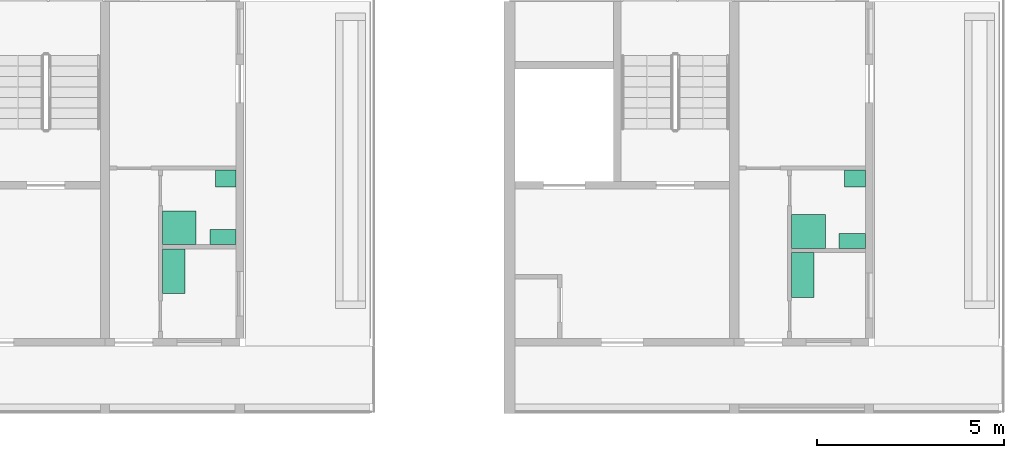
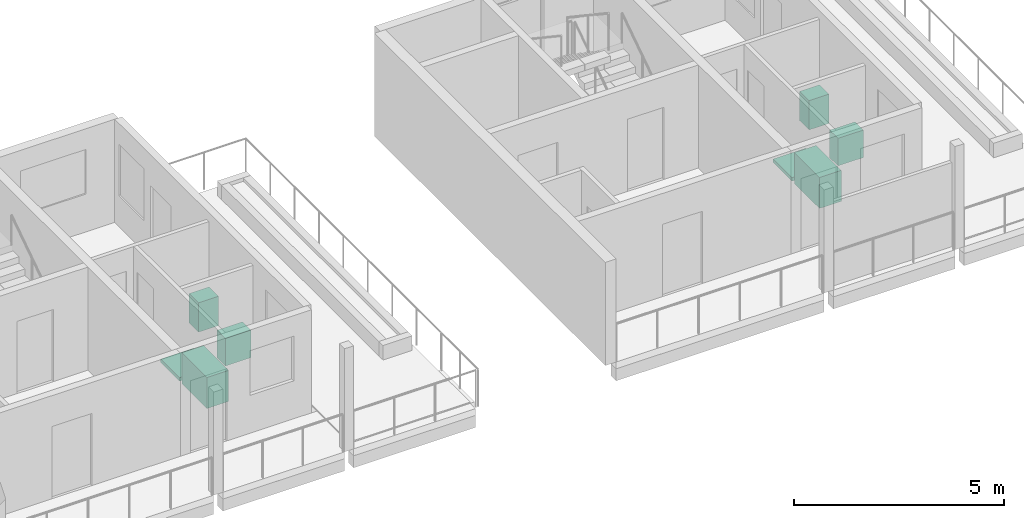
# One storey, part 41 of 41: 8 sanitary terminals.
"""IFC4 building model written with IfcOpenShell, lengths in metres."""

import ifcopenshell
import ifcopenshell.guid

model = None  # the IFC model being written
_history = None  # IfcOwnerHistory: only IFC2X3 demands one
_inside = {}  # id of a spatial element -> (the spatial element, [elements in it])
_under = {}  # id of a project, library or spatial element -> (it, [spatial elements below it])
_declared = {}  # id of a project -> (the project, [libraries it declares])
_typed = {}  # id of a type object -> (the type object, [elements of that type])
_made_of = {}  # id of a material, layer set ... -> (it, [elements and type objects made of it])


def new_model(schema):
    """Start an empty IFC model of exactly this schema.

    Asked for "IFC4X3", IfcOpenShell would pick the latest addendum, in which some entities
    have other attributes; the version numbers below select the first issue.
    IFC2X3 requires an IfcOwnerHistory on every rooted entity: one is made here for all.
    """
    global model, _history
    if schema == "IFC4X3":
        model = ifcopenshell.file(schema_version=(4, 3, 0, 0))
    else:
        model = ifcopenshell.file(schema=schema)
    _inside.clear()
    _under.clear()
    _declared.clear()
    _typed.clear()
    _made_of.clear()
    _history = None
    if model.schema == "IFC2X3":
        org = make("IfcOrganization", Name="unknown")
        user = make(
            "IfcPersonAndOrganization",
            ThePerson=make("IfcPerson", FamilyName="unknown"),
            TheOrganization=org,
        )
        app = make(
            "IfcApplication",
            ApplicationDeveloper=org,
            Version="unknown",
            ApplicationFullName="unknown",
            ApplicationIdentifier="unknown",
        )
        _history = make(
            "IfcOwnerHistory",
            OwningUser=user,
            OwningApplication=app,
            ChangeAction="ADDED",
            CreationDate=0,
        )
    return model


def make(cls, **values):
    """One entity of the class cls with the attributes given. An attribute that is None is left unset."""
    return model.create_entity(
        cls, **{name: value for name, value in values.items() if value is not None}
    )


def rooted(cls, **values):
    """An entity with a GlobalId (a new one), such as an element, a storey or a relation."""
    return make(cls, GlobalId=ifcopenshell.guid.new(), OwnerHistory=_history, **values)


def si_unit(unit_type, name, prefix=None):
    """IfcSIUnit, for example si_unit("LENGTHUNIT", "METRE", prefix="MILLI")."""
    return make("IfcSIUnit", UnitType=unit_type, Prefix=prefix, Name=name)


def assignment(units):
    """IfcUnitAssignment: the units of a project."""
    return None if units is None else make("IfcUnitAssignment", Units=units)


def point(xyz):
    """IfcCartesianPoint."""
    return None if xyz is None else make("IfcCartesianPoint", Coordinates=xyz)


def direction(xyz):
    """IfcDirection."""
    return None if xyz is None else make("IfcDirection", DirectionRatios=xyz)


def frame(location, z_axis=None, x_axis=None):
    """IfcAxis2Placement3D, a coordinate frame: its origin and axes. An axis left out is left unset."""
    return make(
        "IfcAxis2Placement3D",
        Location=point(location),
        Axis=direction(z_axis),
        RefDirection=direction(x_axis),
    )


def frame_2d(location, x_axis=None):
    """IfcAxis2Placement2D, a coordinate frame in the plane: its origin and x axis."""
    return make(
        "IfcAxis2Placement2D", Location=point(location), RefDirection=direction(x_axis)
    )


def origin():
    """The frame at (0, 0, 0) with its axes left unset."""
    return frame((0.0, 0.0, 0.0))


def origin_2d():
    """The frame at (0, 0) in the plane with its x axis left unset."""
    return frame_2d((0.0, 0.0))


def place(relative_to, where):
    """IfcLocalPlacement: puts the frame where relative to a parent placement (None: the world)."""
    return make(
        "IfcLocalPlacement", PlacementRelTo=relative_to, RelativePlacement=where
    )


def context(
    kind, dimensions, precision=None, world=None, true_north=None, identifier=None
):
    """IfcGeometricRepresentationContext, for example the 3D "Model" context."""
    return make(
        "IfcGeometricRepresentationContext",
        ContextIdentifier=identifier,
        ContextType=kind,
        CoordinateSpaceDimension=dimensions,
        Precision=precision,
        WorldCoordinateSystem=world,
        TrueNorth=true_north,
    )


def subcontext(parent, identifier, kind, view, scale=None):
    """IfcGeometricRepresentationSubContext, for example "Body" below "Model"."""
    return make(
        "IfcGeometricRepresentationSubContext",
        ContextIdentifier=identifier,
        ContextType=kind,
        ParentContext=parent,
        TargetScale=scale,
        TargetView=view,
    )


def project(units=None, contexts=None):
    """IfcProject with its units and contexts."""
    return rooted(
        "IfcProject",
        Name="project",
        RepresentationContexts=contexts,
        UnitsInContext=assignment(units),
    )


def spatial(cls, under=None, at=None, **own):
    """A site, building, storey or space (cls), placed at a placement, below another one or the project."""
    s = rooted(cls, ObjectPlacement=at, **own)
    if under is not None:
        _under.setdefault(under.id(), (under, []))[1].append(s)
    return s


def profile(cls, at=None, kind="AREA", **sizes):
    """A parametric profile (cls). Its sizes go by their IFC names, for example OverallWidth=200.0."""
    return make(cls, ProfileType=kind, Position=at, **sizes)


def rectangle(**sizes):
    """IfcRectangleProfileDef."""
    return profile("IfcRectangleProfileDef", **sizes)


def extrude(swept, where, along, depth):
    """IfcExtrudedAreaSolid: the profile swept, set in the frame where, extruded along a direction by depth."""
    return make(
        "IfcExtrudedAreaSolid",
        SweptArea=swept,
        Position=where,
        ExtrudedDirection=direction(along),
        Depth=depth,
    )


def shape(context_of_items, identifier, shape_type, items):
    """IfcShapeRepresentation: the items that make up one representation, for example the "Body"."""
    return make(
        "IfcShapeRepresentation",
        ContextOfItems=context_of_items,
        RepresentationIdentifier=identifier,
        RepresentationType=shape_type,
        Items=items,
    )


def made_of(thing, what):
    """Note that an element or type object is made of a material, layer set ...; save() writes the relation."""
    if what is not None:
        _made_of.setdefault(what.id(), (what, []))[1].append(thing)
    return thing


def element(
    cls,
    number,
    at=None,
    inside=None,
    cuts=None,
    type_object=None,
    material=None,
    context=None,
    identifier="Body",
    shape_type=None,
    held_by="IfcProductDefinitionShape",
    body=None,
    shapes=None,
    **own,
):
    """One element of the class cls, such as IfcWall. Its Tag is "e" and its number.

    at: its placement. inside: the storey or other place that contains it. cuts: it is an
    opening in that element (IfcRelVoidsElement). A single representation is given by context,
    identifier, shape_type and body (its items); several are given by shapes. held_by: the class
    of the entity that holds the representations. save() writes the other relations.
    """
    e = rooted(cls, Tag="e%d" % number, ObjectPlacement=at, **own)
    if body is not None:
        shapes = [shape(context, identifier, shape_type, body)]
    if shapes is not None:
        e.Representation = make(held_by, Representations=shapes)
    if inside is not None:
        _inside.setdefault(inside.id(), (inside, []))[1].append(e)
    if cuts is not None:
        rooted(
            "IfcRelVoidsElement", RelatingBuildingElement=cuts, RelatedOpeningElement=e
        )
    if type_object is not None:
        _typed.setdefault(type_object.id(), (type_object, []))[1].append(e)
    return made_of(e, material)


def aggregate(whole, parts):
    """IfcRelAggregates: a whole, such as a stair, and the parts it consists of."""
    return rooted("IfcRelAggregates", RelatingObject=whole, RelatedObjects=parts)


def save(model, path):
    """Write the relations noted so far, then the file.

    IfcRelAggregates (storeys below a building ...), IfcRelContainedInSpatialStructure (elements
    in a storey), IfcRelDefinesByType, IfcRelAssociatesMaterial and IfcRelDeclares: one each for
    every whole, place, type object, material and project.
    """
    for whole, parts in _under.values():
        aggregate(whole, parts)
    for where, things in _inside.values():
        rooted(
            "IfcRelContainedInSpatialStructure",
            RelatedElements=things,
            RelatingStructure=where,
        )
    for kind, things in _typed.values():
        rooted("IfcRelDefinesByType", RelatedObjects=things, RelatingType=kind)
    for what, things in _made_of.values():
        rooted("IfcRelAssociatesMaterial", RelatedObjects=things, RelatingMaterial=what)
    for by, libraries in _declared.values():
        rooted("IfcRelDeclares", RelatingContext=by, RelatedDefinitions=libraries)
    model.write(path)


model = new_model("IFC4")

# Units and contexts
model_context = context("Model", 3, precision=1e-05, world=origin(), true_north=direction((0.0, 1.0)))
body_context = subcontext(model_context, "Body", "Model", "MODEL_VIEW")
ifc_project = project(units=[si_unit("LENGTHUNIT", "METRE"), si_unit("AREAUNIT", "SQUARE_METRE"), si_unit("VOLUMEUNIT", "CUBIC_METRE"), si_unit("PLANEANGLEUNIT", "RADIAN"), si_unit("MASSUNIT", "GRAM", prefix="KILO")], contexts=[model_context])

# Site, building, storey
site_placement = place(None, origin())
site = spatial("IfcSite", under=ifc_project, at=site_placement, CompositionType="ELEMENT")
building_placement = place(site_placement, origin())
building = spatial("IfcBuilding", under=site, at=building_placement, Name="Ridgestep Commons", CompositionType="ELEMENT")
storey_placement = place(building_placement, frame((0.0, 0.0, 39.0)))
storey = spatial("IfcBuildingStorey", under=building, at=storey_placement, Name="L13", CompositionType="ELEMENT", Elevation=39.0)

# Sanitary terminals
sanitary_terminal_1_placement = place(storey_placement, frame((221.985107421875, 16.7099609375, 0.0), z_axis=(0.0, 0.0, 1.0), x_axis=(1.0, 0.0, 0.0)))
element("IfcSanitaryTerminal", 1, at=sanitary_terminal_1_placement, inside=storey, Name="Shower tray D5-13a", PredefinedType="SHOWER", context=body_context, shape_type="SweptSolid", body=[
    extrude(rectangle(XDim=0.89990234375, YDim=0.89990234375, at=origin_2d()), origin(), (0.0, 0.0, 1.0), 0.10009765625),
])
sanitary_terminal_2_placement = place(storey_placement, frame((223.14990234375, 16.4599609375, 0.0), z_axis=(0.0, 0.0, 1.0), x_axis=(1.0, 0.0, 0.0)))
element("IfcSanitaryTerminal", 2, at=sanitary_terminal_2_placement, inside=storey, Name="WC D5-13a", PredefinedType="TOILETPAN", context=body_context, shape_type="SweptSolid", body=[
    extrude(rectangle(XDim=0.699951171875, YDim=0.39990234375, at=origin_2d()), origin(), (0.0, 0.0, 1.0), 0.800048828125),
])
sanitary_terminal_3_placement = place(storey_placement, frame((223.22509765625, 18.02490234375, 0.0), z_axis=(0.0, 0.0, 1.0), x_axis=(1.0, 0.0, 0.0)))
element("IfcSanitaryTerminal", 3, at=sanitary_terminal_3_placement, inside=storey, Name="Basin D5-13a", PredefinedType="WASHHANDBASIN", context=body_context, shape_type="SweptSolid", body=[
    extrude(rectangle(XDim=0.550048828125, YDim=0.449951171875, at=origin_2d()), origin(), (0.0, 0.0, 1.0), 0.85009765625),
])
sanitary_terminal_4_placement = place(storey_placement, frame((221.8349609375, 15.550048828125, 0.0), z_axis=(0.0, 0.0, 1.0), x_axis=(1.0, 0.0, 0.0)))
element("IfcSanitaryTerminal", 4, at=sanitary_terminal_4_placement, inside=storey, Name="Kitchen sink D5-13a", PredefinedType="SINK", context=body_context, shape_type="SweptSolid", body=[
    extrude(rectangle(XDim=0.60009765625, YDim=1.199951171875, at=origin_2d()), origin(), (0.0, 0.0, 1.0), 0.89990234375),
])
sanitary_terminal_5_placement = place(storey_placement, frame((238.784912109375, 16.610107421875, 0.0), z_axis=(0.0, 0.0, 1.0), x_axis=(1.0, 0.0, 0.0)))
element("IfcSanitaryTerminal", 5, at=sanitary_terminal_5_placement, inside=storey, Name="Shower tray D6-13a", PredefinedType="SHOWER", context=body_context, shape_type="SweptSolid", body=[
    extrude(rectangle(XDim=0.89990234375, YDim=0.89990234375, at=origin_2d()), origin(), (0.0, 0.0, 1.0), 0.10009765625),
])
sanitary_terminal_6_placement = place(storey_placement, frame((239.949951171875, 16.360107421875, 0.0), z_axis=(0.0, 0.0, 1.0), x_axis=(1.0, 0.0, 0.0)))
element("IfcSanitaryTerminal", 6, at=sanitary_terminal_6_placement, inside=storey, Name="WC D6-13a", PredefinedType="TOILETPAN", context=body_context, shape_type="SweptSolid", body=[
    extrude(rectangle(XDim=0.699951171875, YDim=0.39990234375, at=origin_2d()), origin(), (0.0, 0.0, 1.0), 0.800048828125),
])
sanitary_terminal_7_placement = place(storey_placement, frame((240.02490234375, 18.02490234375, 0.0), z_axis=(0.0, 0.0, 1.0), x_axis=(1.0, 0.0, 0.0)))
element("IfcSanitaryTerminal", 7, at=sanitary_terminal_7_placement, inside=storey, Name="Basin D6-13a", PredefinedType="WASHHANDBASIN", context=body_context, shape_type="SweptSolid", body=[
    extrude(rectangle(XDim=0.550048828125, YDim=0.449951171875, at=origin_2d()), origin(), (0.0, 0.0, 1.0), 0.85009765625),
])
sanitary_terminal_8_placement = place(storey_placement, frame((238.635009765625, 15.449951171875, 0.0), z_axis=(0.0, 0.0, 1.0), x_axis=(1.0, 0.0, 0.0)))
element("IfcSanitaryTerminal", 8, at=sanitary_terminal_8_placement, inside=storey, Name="Kitchen sink D6-13a", PredefinedType="SINK", context=body_context, shape_type="SweptSolid", body=[
    extrude(rectangle(XDim=0.60009765625, YDim=1.199951171875, at=origin_2d()), origin(), (0.0, 0.0, 1.0), 0.89990234375),
])

save(model, "model.ifc")
